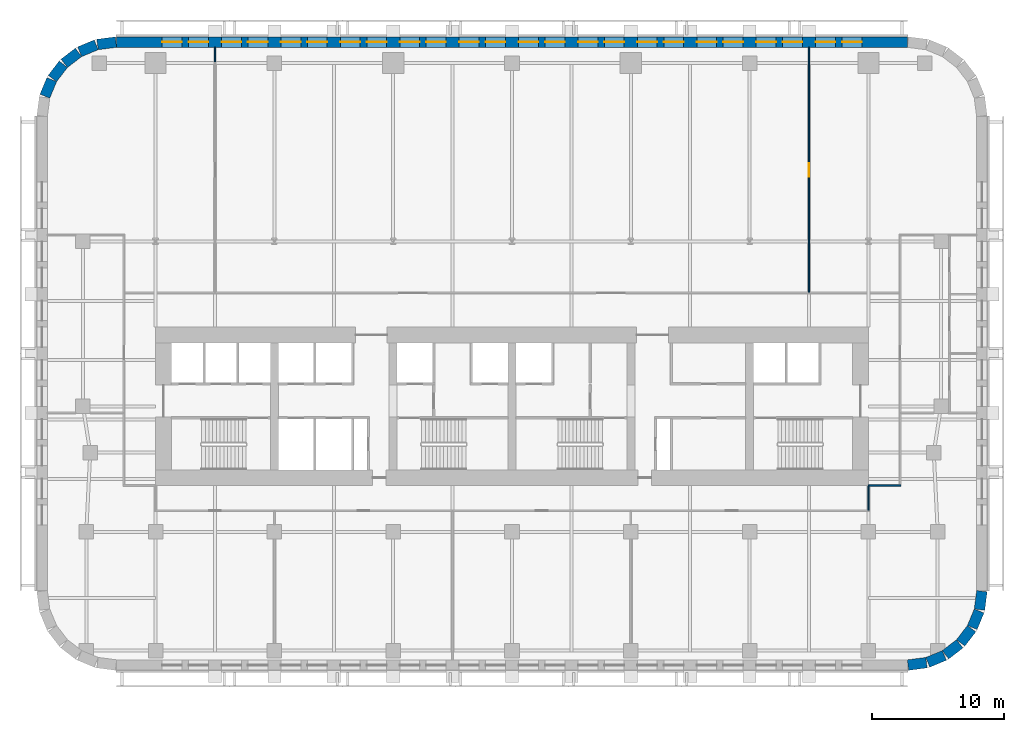
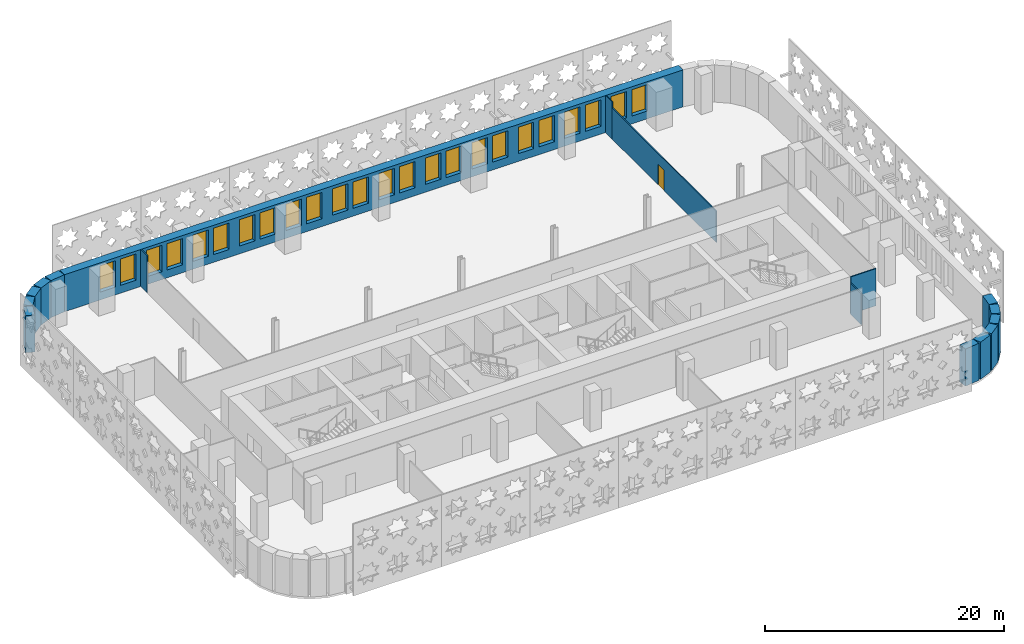
# One storey, part 6 of 13: 24 windows, 17 walls, 1 door, 25 openings.
"""IFC4 building model written with IfcOpenShell, lengths in metres."""

from ifc_helpers import new_model, si_unit, direction, frame, frame_2d, origin, place, context, subcontext, project, spatial, rectangle, extrude, material, layer, layer_set, type_object, element, fill, save


model = new_model("IFC4")

# Units and contexts
model_context = context("Model", 3, precision=1e-05, world=origin(), true_north=direction((0.0, 1.0)))
body_context = subcontext(model_context, "Body", "Model", "MODEL_VIEW")
ifc_project = project(units=[si_unit("LENGTHUNIT", "METRE"), si_unit("AREAUNIT", "SQUARE_METRE"), si_unit("VOLUMEUNIT", "CUBIC_METRE"), si_unit("PLANEANGLEUNIT", "RADIAN"), si_unit("MASSUNIT", "GRAM", prefix="KILO")], contexts=[model_context])

# Site, building, storey
site_placement = place(None, origin())
site = spatial("IfcSite", under=ifc_project, at=site_placement, CompositionType="ELEMENT")
building_placement = place(site_placement, origin())
building = spatial("IfcBuilding", under=site, at=building_placement, Name="Zellij Exchange Tower", CompositionType="ELEMENT")
storey_placement = place(building_placement, frame((0.0, 0.0, 60.5)))
storey = spatial("IfcBuildingStorey", under=building, at=storey_placement, Name="L11", CompositionType="ELEMENT", Elevation=60.5)

# Walls
ifc_material_1 = material(Name="Precast concrete C40/50", Category="concrete")
ifc_layer_1 = layer(ifc_material_1, 0.800048828125)
ifc_layer_set_1 = layer_set([ifc_layer_1], Name="Precast concrete C40/50")
wall_type_1 = type_object("IfcWallType", Name="ENV-EW1 Precast stone-piered wall 800", PredefinedType="SOLIDWALL", material=ifc_layer_set_1)
wall_1_placement = place(storey_placement, frame((29.999755859375, -27.5966796875, 0.0), z_axis=(0.0, 0.0, 1.0), x_axis=(0.99144603414, 0.130517283865, 0.0)))
element("IfcWall", 1, at=wall_1_placement, inside=storey, type_object=wall_type_1, Name="fac.L11.01", PredefinedType="SOLIDWALL", context=body_context, shape_type="SweptSolid", body=[
    extrude(rectangle(XDim=1.408447265625, YDim=0.800048828125, at=frame_2d((0.7041015625, 0.0))), origin(), (0.0, 0.0, 1.0), 3.800048828125),
])
wall_2_placement = place(storey_placement, frame((31.497314453125, -27.3857421875, 0.0), z_axis=(0.0, 0.0, 1.0), x_axis=(0.923847774587, 0.38276009378, 0.0)))
element("IfcWall", 2, at=wall_2_placement, inside=storey, type_object=wall_type_1, Name="fac.L11.02", PredefinedType="SOLIDWALL", context=body_context, shape_type="SweptSolid", body=[
    extrude(rectangle(XDim=1.35546875, YDim=0.800048828125, at=frame_2d((0.677734375, 0.0))), origin(), (0.0, 0.0, 1.0), 3.800048828125),
])
for number, where, z_axis, x_axis, name in (
    (3, (32.840087890625, -26.814697265625, 0.0), (0.0, 0.0, 1.0), (0.793272915452, 0.608866226366, 0.0), "fac.L11.03"),
    (4, (33.9892578125, -25.91552734375, 0.0), (0.0, 0.0, 1.0), (0.608866226366, 0.793272915452, 0.0), "fac.L11.04"),
):
    element("IfcWall", number, at=place(storey_placement, frame(where, z_axis=z_axis, x_axis=x_axis)), inside=storey, type_object=wall_type_1, Name=name, PredefinedType="SOLIDWALL", context=body_context, shape_type="SweptSolid", body=[
        extrude(rectangle(XDim=1.355712890625, YDim=0.800048828125, at=frame_2d((0.677734375, 0.0))), origin(), (0.0, 0.0, 1.0), 3.800048828125),
    ])
wall_3_placement = place(storey_placement, frame((34.866943359375, -24.74951171875, 0.0), z_axis=(0.0, 0.0, 1.0), x_axis=(0.38276009378, 0.923847774587, 0.0)))
element("IfcWall", 5, at=wall_3_placement, inside=storey, type_object=wall_type_1, Name="fac.L11.05", PredefinedType="SOLIDWALL", context=body_context, shape_type="SweptSolid", body=[
    extrude(rectangle(XDim=1.35546875, YDim=0.800048828125, at=frame_2d((0.677734375, 0.0))), origin(), (0.0, 0.0, 1.0), 3.800048828125),
])
wall_4_placement = place(storey_placement, frame((35.412841796875, -23.396240234375, 0.0), z_axis=(0.0, 0.0, 1.0), x_axis=(0.130517283865, 0.99144603414, 0.0)))
element("IfcWall", 6, at=wall_4_placement, inside=storey, type_object=wall_type_1, Name="fac.L11.06", PredefinedType="SOLIDWALL", context=body_context, shape_type="SweptSolid", body=[
    extrude(rectangle(XDim=1.408447265625, YDim=0.800048828125, at=frame_2d((0.7041015625, 0.0))), origin(), (0.0, 0.0, 1.0), 3.800048828125),
])

# Wall, openings, windows
wall_5_placement = place(storey_placement, frame((29.947509765625, 19.60009765625, 0.0), z_axis=(0.0, 0.0, 1.0), x_axis=(-1.0, 0.0, 0.0)))
wall_5 = element("IfcWall", 7, at=wall_5_placement, inside=storey, type_object=wall_type_1, Name="fac.L11.14", PredefinedType="SOLIDWALL", context=body_context, shape_type="SweptSolid", body=[
    extrude(rectangle(XDim=59.89501953125, YDim=0.800048828125, at=frame_2d((29.947509765625, 0.0))), origin(), (0.0, 0.0, 1.0), 3.800048828125),
])
opening_1_placement = place(wall_5_placement, frame((3.447509765625, 0.0, 0.800048828125)))
opening_1 = element("IfcOpeningElement", 8, at=opening_1_placement, cuts=wall_5, Name="Opening FZ1.37", PredefinedType="OPENING", context=body_context, shape_type="SweptSolid", body=[
    extrude(rectangle(XDim=1.5, YDim=2.699951171875, at=frame_2d((0.75, 1.35009765625))), frame((0.0, 0.412109375, 0.0), z_axis=(0.0, -1.0, 0.0), x_axis=(1.0, 0.0, 0.0)), (0.0, 0.0, 1.0), 0.823974609375),
])
opening_2_placement = place(wall_5_placement, frame((5.447509765625, 0.0, 0.800048828125)))
opening_2 = element("IfcOpeningElement", 9, at=opening_2_placement, cuts=wall_5, Name="Opening FZ1.38", PredefinedType="OPENING", context=body_context, shape_type="SweptSolid", body=[
    extrude(rectangle(XDim=1.5, YDim=2.699951171875, at=frame_2d((0.75, 1.35009765625))), frame((0.0, 0.412109375, 0.0), z_axis=(0.0, -1.0, 0.0), x_axis=(1.0, 0.0, 0.0)), (0.0, 0.0, 1.0), 0.823974609375),
])
opening_3_placement = place(wall_5_placement, frame((7.947509765625, 0.0, 0.800048828125)))
opening_3 = element("IfcOpeningElement", 10, at=opening_3_placement, cuts=wall_5, Name="Opening FZ1.39", PredefinedType="OPENING", context=body_context, shape_type="SweptSolid", body=[
    extrude(rectangle(XDim=1.5, YDim=2.699951171875, at=frame_2d((0.75, 1.35009765625))), frame((0.0, 0.412109375, 0.0), z_axis=(0.0, -1.0, 0.0), x_axis=(1.0, 0.0, 0.0)), (0.0, 0.0, 1.0), 0.823974609375),
])
opening_4_placement = place(wall_5_placement, frame((9.947509765625, 0.0, 0.800048828125)))
opening_4 = element("IfcOpeningElement", 11, at=opening_4_placement, cuts=wall_5, Name="Opening FZ1.40", PredefinedType="OPENING", context=body_context, shape_type="SweptSolid", body=[
    extrude(rectangle(XDim=1.5, YDim=2.699951171875, at=frame_2d((0.75, 1.35009765625))), frame((0.0, 0.412109375, 0.0), z_axis=(0.0, -1.0, 0.0), x_axis=(1.0, 0.0, 0.0)), (0.0, 0.0, 1.0), 0.823974609375),
])
opening_5_placement = place(wall_5_placement, frame((12.447509765625, 0.0, 0.800048828125)))
opening_5 = element("IfcOpeningElement", 12, at=opening_5_placement, cuts=wall_5, Name="Opening FZ1.41", PredefinedType="OPENING", context=body_context, shape_type="SweptSolid", body=[
    extrude(rectangle(XDim=1.5, YDim=2.699951171875, at=frame_2d((0.75, 1.35009765625))), frame((0.0, 0.412109375, 0.0), z_axis=(0.0, -1.0, 0.0), x_axis=(1.0, 0.0, 0.0)), (0.0, 0.0, 1.0), 0.823974609375),
])
opening_6_placement = place(wall_5_placement, frame((14.447509765625, 0.0, 0.800048828125)))
opening_6 = element("IfcOpeningElement", 13, at=opening_6_placement, cuts=wall_5, Name="Opening FZ1.42", PredefinedType="OPENING", context=body_context, shape_type="SweptSolid", body=[
    extrude(rectangle(XDim=1.5, YDim=2.699951171875, at=frame_2d((0.75, 1.35009765625))), frame((0.0, 0.412109375, 0.0), z_axis=(0.0, -1.0, 0.0), x_axis=(1.0, 0.0, 0.0)), (0.0, 0.0, 1.0), 0.823974609375),
])
opening_7_placement = place(wall_5_placement, frame((16.947509765625, 0.0, 0.800048828125)))
opening_7 = element("IfcOpeningElement", 14, at=opening_7_placement, cuts=wall_5, Name="Opening FZ1.43", PredefinedType="OPENING", context=body_context, shape_type="SweptSolid", body=[
    extrude(rectangle(XDim=1.5, YDim=2.699951171875, at=frame_2d((0.75, 1.35009765625))), frame((0.0, 0.412109375, 0.0), z_axis=(0.0, -1.0, 0.0), x_axis=(1.0, 0.0, 0.0)), (0.0, 0.0, 1.0), 0.823974609375),
])
opening_8_placement = place(wall_5_placement, frame((18.947509765625, 0.0, 0.800048828125)))
opening_8 = element("IfcOpeningElement", 15, at=opening_8_placement, cuts=wall_5, Name="Opening FZ1.44", PredefinedType="OPENING", context=body_context, shape_type="SweptSolid", body=[
    extrude(rectangle(XDim=1.5, YDim=2.699951171875, at=frame_2d((0.75, 1.35009765625))), frame((0.0, 0.412109375, 0.0), z_axis=(0.0, -1.0, 0.0), x_axis=(1.0, 0.0, 0.0)), (0.0, 0.0, 1.0), 0.823974609375),
])
opening_9_placement = place(wall_5_placement, frame((21.447509765625, 0.0, 0.800048828125)))
opening_9 = element("IfcOpeningElement", 16, at=opening_9_placement, cuts=wall_5, Name="Opening FZ1.45", PredefinedType="OPENING", context=body_context, shape_type="SweptSolid", body=[
    extrude(rectangle(XDim=1.5, YDim=2.699951171875, at=frame_2d((0.75, 1.35009765625))), frame((0.0, 0.412109375, 0.0), z_axis=(0.0, -1.0, 0.0), x_axis=(1.0, 0.0, 0.0)), (0.0, 0.0, 1.0), 0.823974609375),
])
opening_10_placement = place(wall_5_placement, frame((23.447509765625, 0.0, 0.800048828125)))
opening_10 = element("IfcOpeningElement", 17, at=opening_10_placement, cuts=wall_5, Name="Opening FZ1.46", PredefinedType="OPENING", context=body_context, shape_type="SweptSolid", body=[
    extrude(rectangle(XDim=1.5, YDim=2.699951171875, at=frame_2d((0.75, 1.35009765625))), frame((0.0, 0.412109375, 0.0), z_axis=(0.0, -1.0, 0.0), x_axis=(1.0, 0.0, 0.0)), (0.0, 0.0, 1.0), 0.823974609375),
])
opening_11_placement = place(wall_5_placement, frame((25.947509765625, 0.0, 0.800048828125)))
opening_11 = element("IfcOpeningElement", 18, at=opening_11_placement, cuts=wall_5, Name="Opening FZ1.47", PredefinedType="OPENING", context=body_context, shape_type="SweptSolid", body=[
    extrude(rectangle(XDim=1.5, YDim=2.699951171875, at=frame_2d((0.75, 1.35009765625))), frame((0.0, 0.412109375, 0.0), z_axis=(0.0, -1.0, 0.0), x_axis=(1.0, 0.0, 0.0)), (0.0, 0.0, 1.0), 0.823974609375),
])
opening_12_placement = place(wall_5_placement, frame((27.947509765625, 0.0, 0.800048828125)))
opening_12 = element("IfcOpeningElement", 19, at=opening_12_placement, cuts=wall_5, Name="Opening FZ1.48", PredefinedType="OPENING", context=body_context, shape_type="SweptSolid", body=[
    extrude(rectangle(XDim=1.5, YDim=2.699951171875, at=frame_2d((0.75, 1.35009765625))), frame((0.0, 0.412109375, 0.0), z_axis=(0.0, -1.0, 0.0), x_axis=(1.0, 0.0, 0.0)), (0.0, 0.0, 1.0), 0.823974609375),
])
opening_13_placement = place(wall_5_placement, frame((30.447509765625, 0.0, 0.800048828125)))
opening_13 = element("IfcOpeningElement", 20, at=opening_13_placement, cuts=wall_5, Name="Opening FZ1.49", PredefinedType="OPENING", context=body_context, shape_type="SweptSolid", body=[
    extrude(rectangle(XDim=1.5, YDim=2.699951171875, at=frame_2d((0.75, 1.35009765625))), frame((0.0, 0.412109375, 0.0), z_axis=(0.0, -1.0, 0.0), x_axis=(1.0, 0.0, 0.0)), (0.0, 0.0, 1.0), 0.823974609375),
])
opening_14_placement = place(wall_5_placement, frame((32.447509765625, 0.0, 0.800048828125)))
opening_14 = element("IfcOpeningElement", 21, at=opening_14_placement, cuts=wall_5, Name="Opening FZ1.50", PredefinedType="OPENING", context=body_context, shape_type="SweptSolid", body=[
    extrude(rectangle(XDim=1.5, YDim=2.699951171875, at=frame_2d((0.75, 1.35009765625))), frame((0.0, 0.412109375, 0.0), z_axis=(0.0, -1.0, 0.0), x_axis=(1.0, 0.0, 0.0)), (0.0, 0.0, 1.0), 0.823974609375),
])
opening_15_placement = place(wall_5_placement, frame((34.947509765625, 0.0, 0.800048828125)))
opening_15 = element("IfcOpeningElement", 22, at=opening_15_placement, cuts=wall_5, Name="Opening FZ1.51", PredefinedType="OPENING", context=body_context, shape_type="SweptSolid", body=[
    extrude(rectangle(XDim=1.5, YDim=2.699951171875, at=frame_2d((0.75, 1.35009765625))), frame((0.0, 0.412109375, 0.0), z_axis=(0.0, -1.0, 0.0), x_axis=(1.0, 0.0, 0.0)), (0.0, 0.0, 1.0), 0.823974609375),
])
opening_16_placement = place(wall_5_placement, frame((36.947509765625, 0.0, 0.800048828125)))
opening_16 = element("IfcOpeningElement", 23, at=opening_16_placement, cuts=wall_5, Name="Opening FZ1.52", PredefinedType="OPENING", context=body_context, shape_type="SweptSolid", body=[
    extrude(rectangle(XDim=1.5, YDim=2.699951171875, at=frame_2d((0.75, 1.35009765625))), frame((0.0, 0.412109375, 0.0), z_axis=(0.0, -1.0, 0.0), x_axis=(1.0, 0.0, 0.0)), (0.0, 0.0, 1.0), 0.823974609375),
])
opening_17_placement = place(wall_5_placement, frame((39.447509765625, 0.0, 0.800048828125)))
opening_17 = element("IfcOpeningElement", 24, at=opening_17_placement, cuts=wall_5, Name="Opening FZ1.53", PredefinedType="OPENING", context=body_context, shape_type="SweptSolid", body=[
    extrude(rectangle(XDim=1.5, YDim=2.699951171875, at=frame_2d((0.75, 1.35009765625))), frame((0.0, 0.412109375, 0.0), z_axis=(0.0, -1.0, 0.0), x_axis=(1.0, 0.0, 0.0)), (0.0, 0.0, 1.0), 0.823974609375),
])
opening_18_placement = place(wall_5_placement, frame((41.447509765625, 0.0, 0.800048828125)))
opening_18 = element("IfcOpeningElement", 25, at=opening_18_placement, cuts=wall_5, Name="Opening FZ1.54", PredefinedType="OPENING", context=body_context, shape_type="SweptSolid", body=[
    extrude(rectangle(XDim=1.5, YDim=2.699951171875, at=frame_2d((0.75, 1.35009765625))), frame((0.0, 0.412109375, 0.0), z_axis=(0.0, -1.0, 0.0), x_axis=(1.0, 0.0, 0.0)), (0.0, 0.0, 1.0), 0.823974609375),
])
opening_19_placement = place(wall_5_placement, frame((43.947509765625, 0.0, 0.800048828125)))
opening_19 = element("IfcOpeningElement", 26, at=opening_19_placement, cuts=wall_5, Name="Opening FZ1.55", PredefinedType="OPENING", context=body_context, shape_type="SweptSolid", body=[
    extrude(rectangle(XDim=1.5, YDim=2.699951171875, at=frame_2d((0.75, 1.35009765625))), frame((0.0, 0.412109375, 0.0), z_axis=(0.0, -1.0, 0.0), x_axis=(1.0, 0.0, 0.0)), (0.0, 0.0, 1.0), 0.823974609375),
])
opening_20_placement = place(wall_5_placement, frame((45.947509765625, 0.0, 0.800048828125)))
opening_20 = element("IfcOpeningElement", 27, at=opening_20_placement, cuts=wall_5, Name="Opening FZ1.56", PredefinedType="OPENING", context=body_context, shape_type="SweptSolid", body=[
    extrude(rectangle(XDim=1.5, YDim=2.699951171875, at=frame_2d((0.75, 1.35009765625))), frame((0.0, 0.412109375, 0.0), z_axis=(0.0, -1.0, 0.0), x_axis=(1.0, 0.0, 0.0)), (0.0, 0.0, 1.0), 0.823974609375),
])
opening_21_placement = place(wall_5_placement, frame((48.447509765625, 0.0, 0.800048828125)))
opening_21 = element("IfcOpeningElement", 28, at=opening_21_placement, cuts=wall_5, Name="Opening FZ1.57", PredefinedType="OPENING", context=body_context, shape_type="SweptSolid", body=[
    extrude(rectangle(XDim=1.5, YDim=2.699951171875, at=frame_2d((0.75, 1.35009765625))), frame((0.0, 0.412109375, 0.0), z_axis=(0.0, -1.0, 0.0), x_axis=(1.0, 0.0, 0.0)), (0.0, 0.0, 1.0), 0.823974609375),
])
opening_22_placement = place(wall_5_placement, frame((50.447509765625, 0.0, 0.800048828125)))
opening_22 = element("IfcOpeningElement", 29, at=opening_22_placement, cuts=wall_5, Name="Opening FZ1.58", PredefinedType="OPENING", context=body_context, shape_type="SweptSolid", body=[
    extrude(rectangle(XDim=1.5, YDim=2.699951171875, at=frame_2d((0.75, 1.35009765625))), frame((0.0, 0.412109375, 0.0), z_axis=(0.0, -1.0, 0.0), x_axis=(1.0, 0.0, 0.0)), (0.0, 0.0, 1.0), 0.823974609375),
])
opening_23_placement = place(wall_5_placement, frame((52.947509765625, 0.0, 0.800048828125)))
opening_23 = element("IfcOpeningElement", 30, at=opening_23_placement, cuts=wall_5, Name="Opening FZ1.59", PredefinedType="OPENING", context=body_context, shape_type="SweptSolid", body=[
    extrude(rectangle(XDim=1.5, YDim=2.699951171875, at=frame_2d((0.75, 1.35009765625))), frame((0.0, 0.412109375, 0.0), z_axis=(0.0, -1.0, 0.0), x_axis=(1.0, 0.0, 0.0)), (0.0, 0.0, 1.0), 0.823974609375),
])
opening_24_placement = place(wall_5_placement, frame((54.947509765625, 0.0, 0.800048828125)))
opening_24 = element("IfcOpeningElement", 31, at=opening_24_placement, cuts=wall_5, Name="Opening FZ1.60", PredefinedType="OPENING", context=body_context, shape_type="SweptSolid", body=[
    extrude(rectangle(XDim=1.5, YDim=2.699951171875, at=frame_2d((0.75, 1.35009765625))), frame((0.0, 0.412109375, 0.0), z_axis=(0.0, -1.0, 0.0), x_axis=(1.0, 0.0, 0.0)), (0.0, 0.0, 1.0), 0.823974609375),
])
ifc_material_2 = material(Name="Aluminium frame with insulating glass", Category="aluminium")
window_type = type_object("IfcWindowType", Name="ENV-W6 Window 1500x2700", PartitioningType="SINGLE_PANEL", PredefinedType="WINDOW", material=ifc_material_2)
window_1_placement = place(opening_1_placement, origin())
window_1 = element("IfcWindow", 32, at=window_1_placement, inside=storey, type_object=window_type, Name="Window FZ1.37", OverallHeight=2.699951171875, OverallWidth=1.5, PartitioningType="SINGLE_PANEL", PredefinedType="WINDOW", context=body_context, shape_type="SweptSolid", body=[
    extrude(rectangle(XDim=1.5, YDim=2.699951171875, at=frame_2d((0.75, 1.35009765625))), frame((0.0, 0.030029296875, 0.0), z_axis=(0.0, -1.0, 0.0), x_axis=(1.0, 0.0, 0.0)), (0.0, 0.0, 1.0), 0.06005859375),
])
fill(opening_1, window_1)
window_2_placement = place(opening_2_placement, origin())
window_2 = element("IfcWindow", 33, at=window_2_placement, inside=storey, type_object=window_type, Name="Window FZ1.38", OverallHeight=2.699951171875, OverallWidth=1.5, PartitioningType="SINGLE_PANEL", PredefinedType="WINDOW", context=body_context, shape_type="SweptSolid", body=[
    extrude(rectangle(XDim=1.5, YDim=2.699951171875, at=frame_2d((0.75, 1.35009765625))), frame((0.0, 0.030029296875, 0.0), z_axis=(0.0, -1.0, 0.0), x_axis=(1.0, 0.0, 0.0)), (0.0, 0.0, 1.0), 0.06005859375),
])
fill(opening_2, window_2)
window_3_placement = place(opening_3_placement, origin())
window_3 = element("IfcWindow", 34, at=window_3_placement, inside=storey, type_object=window_type, Name="Window FZ1.39", OverallHeight=2.699951171875, OverallWidth=1.5, PartitioningType="SINGLE_PANEL", PredefinedType="WINDOW", context=body_context, shape_type="SweptSolid", body=[
    extrude(rectangle(XDim=1.5, YDim=2.699951171875, at=frame_2d((0.75, 1.35009765625))), frame((0.0, 0.030029296875, 0.0), z_axis=(0.0, -1.0, 0.0), x_axis=(1.0, 0.0, 0.0)), (0.0, 0.0, 1.0), 0.06005859375),
])
fill(opening_3, window_3)
window_4_placement = place(opening_4_placement, origin())
window_4 = element("IfcWindow", 35, at=window_4_placement, inside=storey, type_object=window_type, Name="Window FZ1.40", OverallHeight=2.699951171875, OverallWidth=1.5, PartitioningType="SINGLE_PANEL", PredefinedType="WINDOW", context=body_context, shape_type="SweptSolid", body=[
    extrude(rectangle(XDim=1.5, YDim=2.699951171875, at=frame_2d((0.75, 1.35009765625))), frame((0.0, 0.030029296875, 0.0), z_axis=(0.0, -1.0, 0.0), x_axis=(1.0, 0.0, 0.0)), (0.0, 0.0, 1.0), 0.06005859375),
])
fill(opening_4, window_4)
window_5_placement = place(opening_5_placement, origin())
window_5 = element("IfcWindow", 36, at=window_5_placement, inside=storey, type_object=window_type, Name="Window FZ1.41", OverallHeight=2.699951171875, OverallWidth=1.5, PartitioningType="SINGLE_PANEL", PredefinedType="WINDOW", context=body_context, shape_type="SweptSolid", body=[
    extrude(rectangle(XDim=1.5, YDim=2.699951171875, at=frame_2d((0.75, 1.35009765625))), frame((0.0, 0.030029296875, 0.0), z_axis=(0.0, -1.0, 0.0), x_axis=(1.0, 0.0, 0.0)), (0.0, 0.0, 1.0), 0.06005859375),
])
fill(opening_5, window_5)
window_6_placement = place(opening_6_placement, origin())
window_6 = element("IfcWindow", 37, at=window_6_placement, inside=storey, type_object=window_type, Name="Window FZ1.42", OverallHeight=2.699951171875, OverallWidth=1.5, PartitioningType="SINGLE_PANEL", PredefinedType="WINDOW", context=body_context, shape_type="SweptSolid", body=[
    extrude(rectangle(XDim=1.5, YDim=2.699951171875, at=frame_2d((0.75, 1.35009765625))), frame((0.0, 0.030029296875, 0.0), z_axis=(0.0, -1.0, 0.0), x_axis=(1.0, 0.0, 0.0)), (0.0, 0.0, 1.0), 0.06005859375),
])
fill(opening_6, window_6)
window_7_placement = place(opening_7_placement, origin())
window_7 = element("IfcWindow", 38, at=window_7_placement, inside=storey, type_object=window_type, Name="Window FZ1.43", OverallHeight=2.699951171875, OverallWidth=1.5, PartitioningType="SINGLE_PANEL", PredefinedType="WINDOW", context=body_context, shape_type="SweptSolid", body=[
    extrude(rectangle(XDim=1.5, YDim=2.699951171875, at=frame_2d((0.75, 1.35009765625))), frame((0.0, 0.030029296875, 0.0), z_axis=(0.0, -1.0, 0.0), x_axis=(1.0, 0.0, 0.0)), (0.0, 0.0, 1.0), 0.06005859375),
])
fill(opening_7, window_7)
window_8_placement = place(opening_8_placement, origin())
window_8 = element("IfcWindow", 39, at=window_8_placement, inside=storey, type_object=window_type, Name="Window FZ1.44", OverallHeight=2.699951171875, OverallWidth=1.5, PartitioningType="SINGLE_PANEL", PredefinedType="WINDOW", context=body_context, shape_type="SweptSolid", body=[
    extrude(rectangle(XDim=1.5, YDim=2.699951171875, at=frame_2d((0.75, 1.35009765625))), frame((0.0, 0.030029296875, 0.0), z_axis=(0.0, -1.0, 0.0), x_axis=(1.0, 0.0, 0.0)), (0.0, 0.0, 1.0), 0.06005859375),
])
fill(opening_8, window_8)
window_9_placement = place(opening_9_placement, origin())
window_9 = element("IfcWindow", 40, at=window_9_placement, inside=storey, type_object=window_type, Name="Window FZ1.45", OverallHeight=2.699951171875, OverallWidth=1.5, PartitioningType="SINGLE_PANEL", PredefinedType="WINDOW", context=body_context, shape_type="SweptSolid", body=[
    extrude(rectangle(XDim=1.5, YDim=2.699951171875, at=frame_2d((0.75, 1.35009765625))), frame((0.0, 0.030029296875, 0.0), z_axis=(0.0, -1.0, 0.0), x_axis=(1.0, 0.0, 0.0)), (0.0, 0.0, 1.0), 0.06005859375),
])
fill(opening_9, window_9)
window_10_placement = place(opening_10_placement, origin())
window_10 = element("IfcWindow", 41, at=window_10_placement, inside=storey, type_object=window_type, Name="Window FZ1.46", OverallHeight=2.699951171875, OverallWidth=1.5, PartitioningType="SINGLE_PANEL", PredefinedType="WINDOW", context=body_context, shape_type="SweptSolid", body=[
    extrude(rectangle(XDim=1.5, YDim=2.699951171875, at=frame_2d((0.75, 1.35009765625))), frame((0.0, 0.030029296875, 0.0), z_axis=(0.0, -1.0, 0.0), x_axis=(1.0, 0.0, 0.0)), (0.0, 0.0, 1.0), 0.06005859375),
])
fill(opening_10, window_10)
window_11_placement = place(opening_11_placement, origin())
window_11 = element("IfcWindow", 42, at=window_11_placement, inside=storey, type_object=window_type, Name="Window FZ1.47", OverallHeight=2.699951171875, OverallWidth=1.5, PartitioningType="SINGLE_PANEL", PredefinedType="WINDOW", context=body_context, shape_type="SweptSolid", body=[
    extrude(rectangle(XDim=1.5, YDim=2.699951171875, at=frame_2d((0.75, 1.35009765625))), frame((0.0, 0.030029296875, 0.0), z_axis=(0.0, -1.0, 0.0), x_axis=(1.0, 0.0, 0.0)), (0.0, 0.0, 1.0), 0.06005859375),
])
fill(opening_11, window_11)
window_12_placement = place(opening_12_placement, origin())
window_12 = element("IfcWindow", 43, at=window_12_placement, inside=storey, type_object=window_type, Name="Window FZ1.48", OverallHeight=2.699951171875, OverallWidth=1.5, PartitioningType="SINGLE_PANEL", PredefinedType="WINDOW", context=body_context, shape_type="SweptSolid", body=[
    extrude(rectangle(XDim=1.5, YDim=2.699951171875, at=frame_2d((0.75, 1.35009765625))), frame((0.0, 0.030029296875, 0.0), z_axis=(0.0, -1.0, 0.0), x_axis=(1.0, 0.0, 0.0)), (0.0, 0.0, 1.0), 0.06005859375),
])
fill(opening_12, window_12)
window_13_placement = place(opening_13_placement, origin())
window_13 = element("IfcWindow", 44, at=window_13_placement, inside=storey, type_object=window_type, Name="Window FZ1.49", OverallHeight=2.699951171875, OverallWidth=1.5, PartitioningType="SINGLE_PANEL", PredefinedType="WINDOW", context=body_context, shape_type="SweptSolid", body=[
    extrude(rectangle(XDim=1.5, YDim=2.699951171875, at=frame_2d((0.75, 1.35009765625))), frame((0.0, 0.030029296875, 0.0), z_axis=(0.0, -1.0, 0.0), x_axis=(1.0, 0.0, 0.0)), (0.0, 0.0, 1.0), 0.06005859375),
])
fill(opening_13, window_13)
window_14_placement = place(opening_14_placement, origin())
window_14 = element("IfcWindow", 45, at=window_14_placement, inside=storey, type_object=window_type, Name="Window FZ1.50", OverallHeight=2.699951171875, OverallWidth=1.5, PartitioningType="SINGLE_PANEL", PredefinedType="WINDOW", context=body_context, shape_type="SweptSolid", body=[
    extrude(rectangle(XDim=1.5, YDim=2.699951171875, at=frame_2d((0.75, 1.35009765625))), frame((0.0, 0.030029296875, 0.0), z_axis=(0.0, -1.0, 0.0), x_axis=(1.0, 0.0, 0.0)), (0.0, 0.0, 1.0), 0.06005859375),
])
fill(opening_14, window_14)
window_15_placement = place(opening_15_placement, origin())
window_15 = element("IfcWindow", 46, at=window_15_placement, inside=storey, type_object=window_type, Name="Window FZ1.51", OverallHeight=2.699951171875, OverallWidth=1.5, PartitioningType="SINGLE_PANEL", PredefinedType="WINDOW", context=body_context, shape_type="SweptSolid", body=[
    extrude(rectangle(XDim=1.5, YDim=2.699951171875, at=frame_2d((0.75, 1.35009765625))), frame((0.0, 0.030029296875, 0.0), z_axis=(0.0, -1.0, 0.0), x_axis=(1.0, 0.0, 0.0)), (0.0, 0.0, 1.0), 0.06005859375),
])
fill(opening_15, window_15)
window_16_placement = place(opening_16_placement, origin())
window_16 = element("IfcWindow", 47, at=window_16_placement, inside=storey, type_object=window_type, Name="Window FZ1.52", OverallHeight=2.699951171875, OverallWidth=1.5, PartitioningType="SINGLE_PANEL", PredefinedType="WINDOW", context=body_context, shape_type="SweptSolid", body=[
    extrude(rectangle(XDim=1.5, YDim=2.699951171875, at=frame_2d((0.75, 1.35009765625))), frame((0.0, 0.030029296875, 0.0), z_axis=(0.0, -1.0, 0.0), x_axis=(1.0, 0.0, 0.0)), (0.0, 0.0, 1.0), 0.06005859375),
])
fill(opening_16, window_16)
window_17_placement = place(opening_17_placement, origin())
window_17 = element("IfcWindow", 48, at=window_17_placement, inside=storey, type_object=window_type, Name="Window FZ1.53", OverallHeight=2.699951171875, OverallWidth=1.5, PartitioningType="SINGLE_PANEL", PredefinedType="WINDOW", context=body_context, shape_type="SweptSolid", body=[
    extrude(rectangle(XDim=1.5, YDim=2.699951171875, at=frame_2d((0.75, 1.35009765625))), frame((0.0, 0.030029296875, 0.0), z_axis=(0.0, -1.0, 0.0), x_axis=(1.0, 0.0, 0.0)), (0.0, 0.0, 1.0), 0.06005859375),
])
fill(opening_17, window_17)
window_18_placement = place(opening_18_placement, origin())
window_18 = element("IfcWindow", 49, at=window_18_placement, inside=storey, type_object=window_type, Name="Window FZ1.54", OverallHeight=2.699951171875, OverallWidth=1.5, PartitioningType="SINGLE_PANEL", PredefinedType="WINDOW", context=body_context, shape_type="SweptSolid", body=[
    extrude(rectangle(XDim=1.5, YDim=2.699951171875, at=frame_2d((0.75, 1.35009765625))), frame((0.0, 0.030029296875, 0.0), z_axis=(0.0, -1.0, 0.0), x_axis=(1.0, 0.0, 0.0)), (0.0, 0.0, 1.0), 0.06005859375),
])
fill(opening_18, window_18)
window_19_placement = place(opening_19_placement, origin())
window_19 = element("IfcWindow", 50, at=window_19_placement, inside=storey, type_object=window_type, Name="Window FZ1.55", OverallHeight=2.699951171875, OverallWidth=1.5, PartitioningType="SINGLE_PANEL", PredefinedType="WINDOW", context=body_context, shape_type="SweptSolid", body=[
    extrude(rectangle(XDim=1.5, YDim=2.699951171875, at=frame_2d((0.75, 1.35009765625))), frame((0.0, 0.030029296875, 0.0), z_axis=(0.0, -1.0, 0.0), x_axis=(1.0, 0.0, 0.0)), (0.0, 0.0, 1.0), 0.06005859375),
])
fill(opening_19, window_19)
window_20_placement = place(opening_20_placement, origin())
window_20 = element("IfcWindow", 51, at=window_20_placement, inside=storey, type_object=window_type, Name="Window FZ1.56", OverallHeight=2.699951171875, OverallWidth=1.5, PartitioningType="SINGLE_PANEL", PredefinedType="WINDOW", context=body_context, shape_type="SweptSolid", body=[
    extrude(rectangle(XDim=1.5, YDim=2.699951171875, at=frame_2d((0.75, 1.35009765625))), frame((0.0, 0.030029296875, 0.0), z_axis=(0.0, -1.0, 0.0), x_axis=(1.0, 0.0, 0.0)), (0.0, 0.0, 1.0), 0.06005859375),
])
fill(opening_20, window_20)
window_21_placement = place(opening_21_placement, origin())
window_21 = element("IfcWindow", 52, at=window_21_placement, inside=storey, type_object=window_type, Name="Window FZ1.57", OverallHeight=2.699951171875, OverallWidth=1.5, PartitioningType="SINGLE_PANEL", PredefinedType="WINDOW", context=body_context, shape_type="SweptSolid", body=[
    extrude(rectangle(XDim=1.5, YDim=2.699951171875, at=frame_2d((0.75, 1.35009765625))), frame((0.0, 0.030029296875, 0.0), z_axis=(0.0, -1.0, 0.0), x_axis=(1.0, 0.0, 0.0)), (0.0, 0.0, 1.0), 0.06005859375),
])
fill(opening_21, window_21)
window_22_placement = place(opening_22_placement, origin())
window_22 = element("IfcWindow", 53, at=window_22_placement, inside=storey, type_object=window_type, Name="Window FZ1.58", OverallHeight=2.699951171875, OverallWidth=1.5, PartitioningType="SINGLE_PANEL", PredefinedType="WINDOW", context=body_context, shape_type="SweptSolid", body=[
    extrude(rectangle(XDim=1.5, YDim=2.699951171875, at=frame_2d((0.75, 1.35009765625))), frame((0.0, 0.030029296875, 0.0), z_axis=(0.0, -1.0, 0.0), x_axis=(1.0, 0.0, 0.0)), (0.0, 0.0, 1.0), 0.06005859375),
])
fill(opening_22, window_22)
window_23_placement = place(opening_23_placement, origin())
window_23 = element("IfcWindow", 54, at=window_23_placement, inside=storey, type_object=window_type, Name="Window FZ1.59", OverallHeight=2.699951171875, OverallWidth=1.5, PartitioningType="SINGLE_PANEL", PredefinedType="WINDOW", context=body_context, shape_type="SweptSolid", body=[
    extrude(rectangle(XDim=1.5, YDim=2.699951171875, at=frame_2d((0.75, 1.35009765625))), frame((0.0, 0.030029296875, 0.0), z_axis=(0.0, -1.0, 0.0), x_axis=(1.0, 0.0, 0.0)), (0.0, 0.0, 1.0), 0.06005859375),
])
fill(opening_23, window_23)
window_24_placement = place(opening_24_placement, origin())
window_24 = element("IfcWindow", 55, at=window_24_placement, inside=storey, type_object=window_type, Name="Window FZ1.60", OverallHeight=2.699951171875, OverallWidth=1.5, PartitioningType="SINGLE_PANEL", PredefinedType="WINDOW", context=body_context, shape_type="SweptSolid", body=[
    extrude(rectangle(XDim=1.5, YDim=2.699951171875, at=frame_2d((0.75, 1.35009765625))), frame((0.0, 0.030029296875, 0.0), z_axis=(0.0, -1.0, 0.0), x_axis=(1.0, 0.0, 0.0)), (0.0, 0.0, 1.0), 0.06005859375),
])
fill(opening_24, window_24)

# Walls
wall_6_placement = place(storey_placement, frame((-29.999755859375, 19.5966796875, 0.0), z_axis=(0.0, 0.0, 1.0), x_axis=(-0.99144603414, -0.130517283865, 0.0)))
element("IfcWall", 56, at=wall_6_placement, inside=storey, type_object=wall_type_1, Name="fac.L11.15", PredefinedType="SOLIDWALL", context=body_context, shape_type="SweptSolid", body=[
    extrude(rectangle(XDim=1.408447265625, YDim=0.800048828125, at=frame_2d((0.7041015625, 0.0))), origin(), (0.0, 0.0, 1.0), 3.800048828125),
])
wall_7_placement = place(storey_placement, frame((-31.497314453125, 19.3857421875, 0.0), z_axis=(0.0, 0.0, 1.0), x_axis=(-0.923847774587, -0.38276009378, 0.0)))
element("IfcWall", 57, at=wall_7_placement, inside=storey, type_object=wall_type_1, Name="fac.L11.16", PredefinedType="SOLIDWALL", context=body_context, shape_type="SweptSolid", body=[
    extrude(rectangle(XDim=1.35546875, YDim=0.800048828125, at=frame_2d((0.677734375, 0.0))), origin(), (0.0, 0.0, 1.0), 3.800048828125),
])
for number, where, z_axis, x_axis, name in (
    (58, (-32.840087890625, 18.814697265625, 0.0), (0.0, 0.0, 1.0), (-0.793272915452, -0.608866226366, 0.0), "fac.L11.17"),
    (59, (-33.9892578125, 17.91552734375, 0.0), (0.0, 0.0, 1.0), (-0.608866226366, -0.793272915452, 0.0), "fac.L11.18"),
):
    element("IfcWall", number, at=place(storey_placement, frame(where, z_axis=z_axis, x_axis=x_axis)), inside=storey, type_object=wall_type_1, Name=name, PredefinedType="SOLIDWALL", context=body_context, shape_type="SweptSolid", body=[
        extrude(rectangle(XDim=1.355712890625, YDim=0.800048828125, at=frame_2d((0.677734375, 0.0))), origin(), (0.0, 0.0, 1.0), 3.800048828125),
    ])
wall_8_placement = place(storey_placement, frame((-34.866943359375, 16.74951171875, 0.0), z_axis=(0.0, 0.0, 1.0), x_axis=(-0.38276009378, -0.923847774587, 0.0)))
element("IfcWall", 60, at=wall_8_placement, inside=storey, type_object=wall_type_1, Name="fac.L11.19", PredefinedType="SOLIDWALL", context=body_context, shape_type="SweptSolid", body=[
    extrude(rectangle(XDim=1.35546875, YDim=0.800048828125, at=frame_2d((0.677734375, 0.0))), origin(), (0.0, 0.0, 1.0), 3.800048828125),
])
ifc_material_3 = material(Name="Gypsum board partition on steel studs", Category="steel")
ifc_layer_2 = layer(ifc_material_3, 0.10009765625)
ifc_layer_set_2 = layer_set([ifc_layer_2], Name="Gypsum board partition on steel studs")
wall_type_2 = type_object("IfcWallType", Name="FIT-PARTITION-100", PredefinedType="PARTITIONING", material=ifc_layer_set_2)
wall_9_placement = place(storey_placement, frame((27.0, -15.85009765625, 0.0), z_axis=(0.0, 0.0, 1.0), x_axis=(0.0, 1.0, 0.0)))
element("IfcWall", 61, at=wall_9_placement, inside=storey, type_object=wall_type_2, Name="FIT-PARTITION-100 009", PredefinedType="PARTITIONING", context=body_context, shape_type="SweptSolid", body=[
    extrude(rectangle(XDim=1.800048828125, YDim=0.10009765625, at=frame_2d((0.89990234375, 0.0))), origin(), (0.0, 0.0, 1.0), 3.18798828125),
])
wall_10_placement = place(storey_placement, frame((27.0, -14.0, 0.0), z_axis=(0.0, 0.0, 1.0), x_axis=(1.0, 0.0, 0.0)))
element("IfcWall", 62, at=wall_10_placement, inside=storey, type_object=wall_type_2, Name="FIT-PARTITION-100 012", PredefinedType="PARTITIONING", context=body_context, shape_type="SweptSolid", body=[
    extrude(rectangle(XDim=2.449951171875, YDim=0.10009765625, at=frame_2d((1.22509765625, 0.0))), origin(), (0.0, 0.0, 1.0), 3.800048828125),
])
wall_11_placement = place(storey_placement, frame((-22.5, 18.114501953125, 0.0), z_axis=(0.0, 0.0, 1.0), x_axis=(0.0, 1.0, 0.0)))
element("IfcWall", 63, at=wall_11_placement, inside=storey, type_object=wall_type_2, Name="FIT-PARTITION-100 023", PredefinedType="PARTITIONING", context=body_context, shape_type="SweptSolid", body=[
    extrude(rectangle(XDim=1.08544921875, YDim=0.10009765625, at=frame_2d((0.542724609375, 0.0))), origin(), (0.0, 0.0, 1.0), 3.800048828125),
])

# Wall, opening, door
wall_12_placement = place(storey_placement, frame((22.5, 0.64990234375, 0.0), z_axis=(0.0, 0.0, 1.0), x_axis=(0.0, 1.0, 0.0)))
wall_12 = element("IfcWall", 64, at=wall_12_placement, inside=storey, type_object=wall_type_2, Name="FIT-PARTITION-100 024", PredefinedType="PARTITIONING", context=body_context, shape_type="SweptSolid", body=[
    extrude(rectangle(XDim=17.464599609375, YDim=0.10009765625, at=frame_2d((8.732421875, 0.0))), origin(), (0.0, 0.0, 1.0), 3.197998046875),
])
opening_25_placement = place(wall_12_placement, frame((8.75, 0.0, 0.0)))
opening_25 = element("IfcOpeningElement", 65, at=opening_25_placement, cuts=wall_12, Name="Opening TA.13", PredefinedType="OPENING", context=body_context, shape_type="SweptSolid", body=[
    extrude(rectangle(XDim=1.0, YDim=2.10009765625, at=frame_2d((0.5, 1.050048828125))), frame((0.0, 0.06201171875, 0.0), z_axis=(0.0, -1.0, 0.0), x_axis=(1.0, 0.0, 0.0)), (0.0, 0.0, 1.0), 0.1240234375),
])
ifc_material_4 = material(Name="Timber door set", Category="wood")
door_type = type_object("IfcDoorType", Name="FIT-D2-WIDE-1000X2100", OperationType="SINGLE_SWING_LEFT", PredefinedType="DOOR", material=ifc_material_4)
door_placement = place(opening_25_placement, origin())
door = element("IfcDoor", 66, at=door_placement, inside=storey, type_object=door_type, Name="Door TA.13", OperationType="SINGLE_SWING_RIGHT", OverallHeight=2.10009765625, OverallWidth=1.0, PredefinedType="DOOR", context=body_context, shape_type="SweptSolid", body=[
    extrude(rectangle(XDim=1.0, YDim=2.10009765625, at=frame_2d((0.5, 1.050048828125))), frame((0.0, 0.02490234375, 0.0), z_axis=(0.0, -1.0, 0.0), x_axis=(1.0, 0.0, 0.0)), (0.0, 0.0, 1.0), 0.050048828125),
])
fill(opening_25, door)

# Wall
wall_13_placement = place(storey_placement, frame((22.5, 18.114501953125, 0.0), z_axis=(0.0, 0.0, 1.0), x_axis=(0.0, 1.0, 0.0)))
element("IfcWall", 67, at=wall_13_placement, inside=storey, type_object=wall_type_2, Name="FIT-PARTITION-100 025", PredefinedType="PARTITIONING", context=body_context, shape_type="SweptSolid", body=[
    extrude(rectangle(XDim=1.08544921875, YDim=0.10009765625, at=frame_2d((0.542724609375, 0.0))), origin(), (0.0, 0.0, 1.0), 3.800048828125),
])

save(model, "model.ifc")
